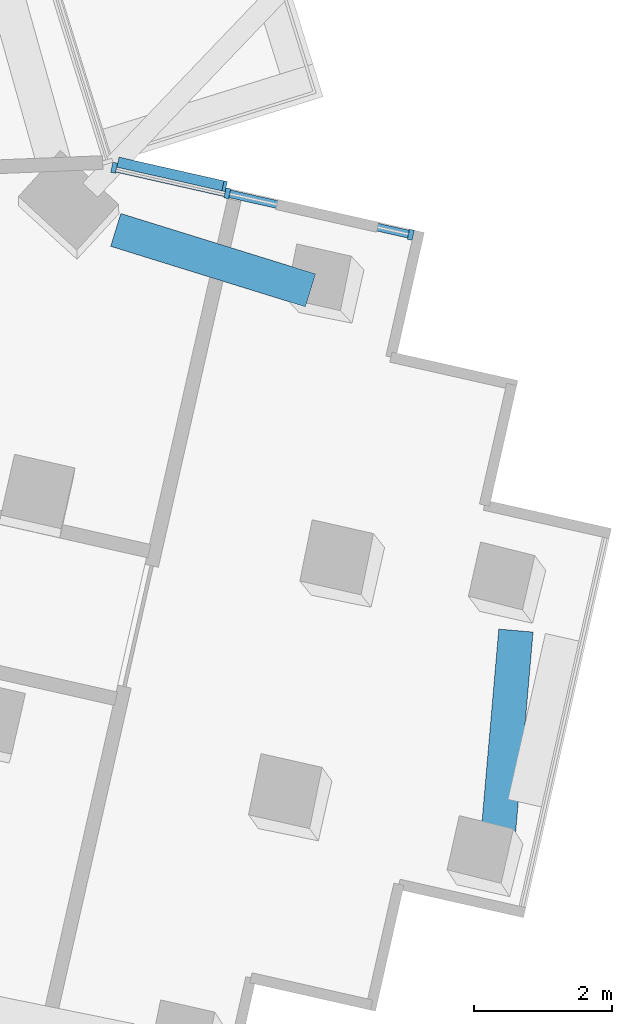
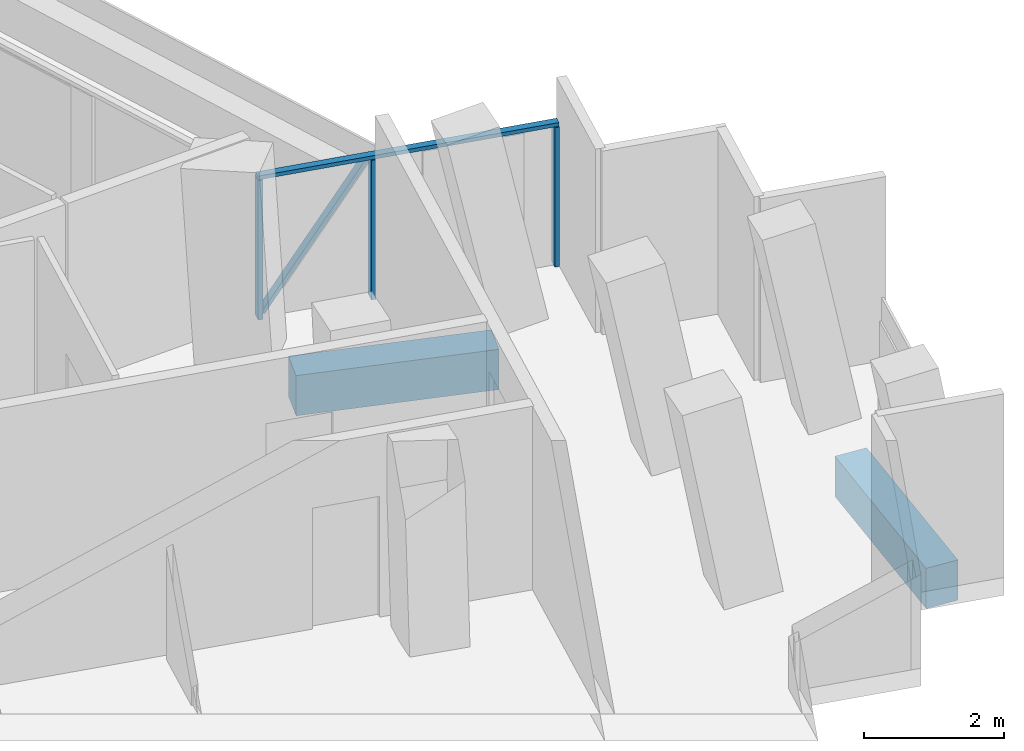
# One storey, part 6 of 25: 5 members, 2 beams, 1 element without a shape of its own.
"""IFC4 building model written with IfcOpenShell, lengths in metres."""

from ifc_helpers import new_model, si_unit, direction, frame, origin, origin_2d, place, context, subcontext, project, spatial, rectangle, extrude, material, layer, layer_set, material_profile, profile_set, type_object, element, aggregate, save


model = new_model("IFC4")

# Units and contexts
model_context = context("Model", 3, precision=1e-05, world=origin(), true_north=direction((0.0, 1.0)))
body_context = subcontext(model_context, "Body", "Model", "MODEL_VIEW")
ifc_project = project(units=[si_unit("LENGTHUNIT", "METRE"), si_unit("AREAUNIT", "SQUARE_METRE"), si_unit("VOLUMEUNIT", "CUBIC_METRE"), si_unit("PLANEANGLEUNIT", "RADIAN"), si_unit("MASSUNIT", "GRAM", prefix="KILO")], contexts=[model_context])

# Site, building, storey
site_placement = place(None, origin())
site = spatial("IfcSite", under=ifc_project, at=site_placement, CompositionType="ELEMENT")
building_placement = place(site_placement, origin())
building = spatial("IfcBuilding", under=site, at=building_placement, Name="Verdalira Terraces Hotel", CompositionType="ELEMENT")
storey_placement = place(building_placement, frame((0.0, 0.0, 103.5)))
storey = spatial("IfcBuildingStorey", under=building, at=storey_placement, Name="L24", CompositionType="ELEMENT", Elevation=103.5)

# Curtain wall, members
ifc_material_1 = material(Name="Clear glass", Category="glass")
ifc_layer = layer(ifc_material_1, 0.14990234375)
ifc_layer_set = layer_set([ifc_layer], Name="CW2 curtain wall")
curtain_wall_type = type_object("IfcCurtainWallType", Name="CW2 curtain wall", PredefinedType="NOTDEFINED", material=ifc_layer_set)
curtain_wall_placement = place(storey_placement, origin())
curtain_wall = element("IfcCurtainWall", 1, at=curtain_wall_placement, inside=storey, type_object=curtain_wall_type, Name="CW2 curtain wall L24 edge 38", PredefinedType="NOTDEFINED")
ifc_material_2 = material(Name="Terracotta frame", Category="masonry")
ifc_material_profile_1 = material_profile(ifc_material_2, rectangle(XDim=0.070068, YDim=0.149902, at=origin_2d()), Name="MU 70x150")
ifc_profile_set_1 = profile_set([ifc_material_profile_1], Name="Terracotta frame")
member_type_1 = type_object("IfcMemberType", Name="CW2 mullion 70x150", PredefinedType="MULLION", material=ifc_profile_set_1)
member_1_placement = place(storey_placement, frame((29.425049, -0.05542, 0.0), z_axis=(0.0, 0.0, 1.0), x_axis=(-0.975457744, 0.220186717, 0.0)))
member_1 = element("IfcMember", 2, at=member_1_placement, type_object=member_type_1, Name="CW2 mullion", PredefinedType="MULLION", context=body_context, shape_type="SweptSolid", body=[
    extrude(rectangle(XDim=0.070068, YDim=0.149902, at=origin_2d()), origin(), (0.0, 0.0, 1.0), 2.425049),
])
member_2_placement = place(storey_placement, frame((26.75708, 0.546875, 0.0), z_axis=(0.0, 0.0, 1.0), x_axis=(-0.975457744, 0.220186717, 0.0)))
member_2 = element("IfcMember", 3, at=member_2_placement, type_object=member_type_1, Name="CW2 mullion", PredefinedType="MULLION", context=body_context, shape_type="SweptSolid", body=[
    extrude(rectangle(XDim=0.070068, YDim=0.149902, at=origin_2d()), origin(), (0.0, 0.0, 1.0), 2.425049),
])
member_3_placement = place(storey_placement, frame((25.111816, 0.918213, 0.0), z_axis=(0.0, 0.0, 1.0), x_axis=(-0.975457744, 0.220186717, 0.0)))
member_3 = element("IfcMember", 4, at=member_3_placement, type_object=member_type_1, Name="CW2 mullion", PredefinedType="MULLION", context=body_context, shape_type="SweptSolid", body=[
    extrude(rectangle(XDim=0.070068, YDim=0.149902, at=origin_2d()), origin(), (0.0, 0.0, 1.0), 2.425049),
])
ifc_material_3 = material(Name="Terracotta frame", Category="masonry")
ifc_material_profile_2 = material_profile(ifc_material_3, rectangle(XDim=0.11499, YDim=0.064941, at=origin_2d()), Name="TR 65x115")
ifc_profile_set_2 = profile_set([ifc_material_profile_2], Name="Terracotta frame")
member_type_2 = type_object("IfcMemberType", Name="CW2 transom 65x115", PredefinedType="USERDEFINED", material=ifc_profile_set_2)
member_4_placement = place(storey_placement, frame((29.459229, -0.062988, 2.45752), z_axis=(-0.97545908, 0.220180795, 0.0), x_axis=(-0.220180795, -0.97545908, 0.0)))
member_4 = element("IfcMember", 5, at=member_4_placement, type_object=member_type_2, Name="CW2 transom", ObjectType="TRANSOM", PredefinedType="USERDEFINED", context=body_context, shape_type="SweptSolid", body=[
    extrude(rectangle(XDim=0.11499, YDim=0.064941, at=origin_2d()), origin(), (0.0, 0.0, 1.0), 4.491943),
])
ifc_material_4 = material(Name="Terracotta frame", Category="masonry")
ifc_material_profile_3 = material_profile(ifc_material_4, rectangle(XDim=0.149902, YDim=0.060059, at=origin_2d()), Name="GB 60x150")
ifc_profile_set_3 = profile_set([ifc_material_profile_3], Name="Terracotta frame")
member_type_3 = type_object("IfcMemberType", Name="Diagonal glazing bar 60x150", PredefinedType="USERDEFINED", material=ifc_profile_set_3)
member_5_placement = place(storey_placement, frame((26.717529, 0.64917, 2.385986), z_axis=(-0.541063715, 0.122131003, -0.832066148), x_axis=(-0.220184237, -0.975458303, 0.0)))
member_5 = element("IfcMember", 6, at=member_5_placement, type_object=member_type_3, Name="Diagonal glazing bar", ObjectType="GLAZING BAR", PredefinedType="USERDEFINED", context=body_context, shape_type="SweptSolid", body=[
    extrude(rectangle(XDim=0.149902, YDim=0.060059, at=origin_2d()), origin(), (0.0, 0.0, 1.0), 2.820557),
])
aggregate(curtain_wall, [member_1, member_2, member_3, member_4, member_5])

# Beams
ifc_material_5 = material(Name="Concrete C70", Category="concrete")
ifc_material_profile_4 = material_profile(ifc_material_5, rectangle(XDim=0.5, YDim=0.699951, at=origin_2d()), Name="RC 500X700")
ifc_profile_set_4 = profile_set([ifc_material_profile_4], Name="Concrete C70")
beam_type = type_object("IfcBeamType", Name="Spandrel beam RC 500X700 C70", PredefinedType="SPANDREL", material=ifc_profile_set_4)
beam_1_placement = place(storey_placement, frame((30.686279, -8.875, -0.659912), z_axis=(0.086749487, 0.996230157, 0.0), x_axis=(-0.996230157, 0.086749487, 0.0)))
element("IfcBeam", 7, at=beam_1_placement, inside=storey, type_object=beam_type, Name="Spandrel beam B22", PredefinedType="SPANDREL", context=body_context, shape_type="SweptSolid", body=[
    extrude(rectangle(XDim=0.5, YDim=0.699951, at=origin_2d()), origin(), (0.0, 0.0, 1.0), 3.075928),
])
beam_2_placement = place(storey_placement, frame((27.966064, -0.86499, -0.659912), z_axis=(-0.955011867, 0.296567587, 0.0), x_axis=(-0.296567587, -0.955011867, 0.0)))
element("IfcBeam", 8, at=beam_2_placement, inside=storey, type_object=beam_type, Name="Spandrel beam B23", PredefinedType="SPANDREL", context=body_context, shape_type="SweptSolid", body=[
    extrude(rectangle(XDim=0.5, YDim=0.699951, at=origin_2d()), origin(), (0.0, 0.0, 1.0), 2.964355),
])

save(model, "model.ifc")
